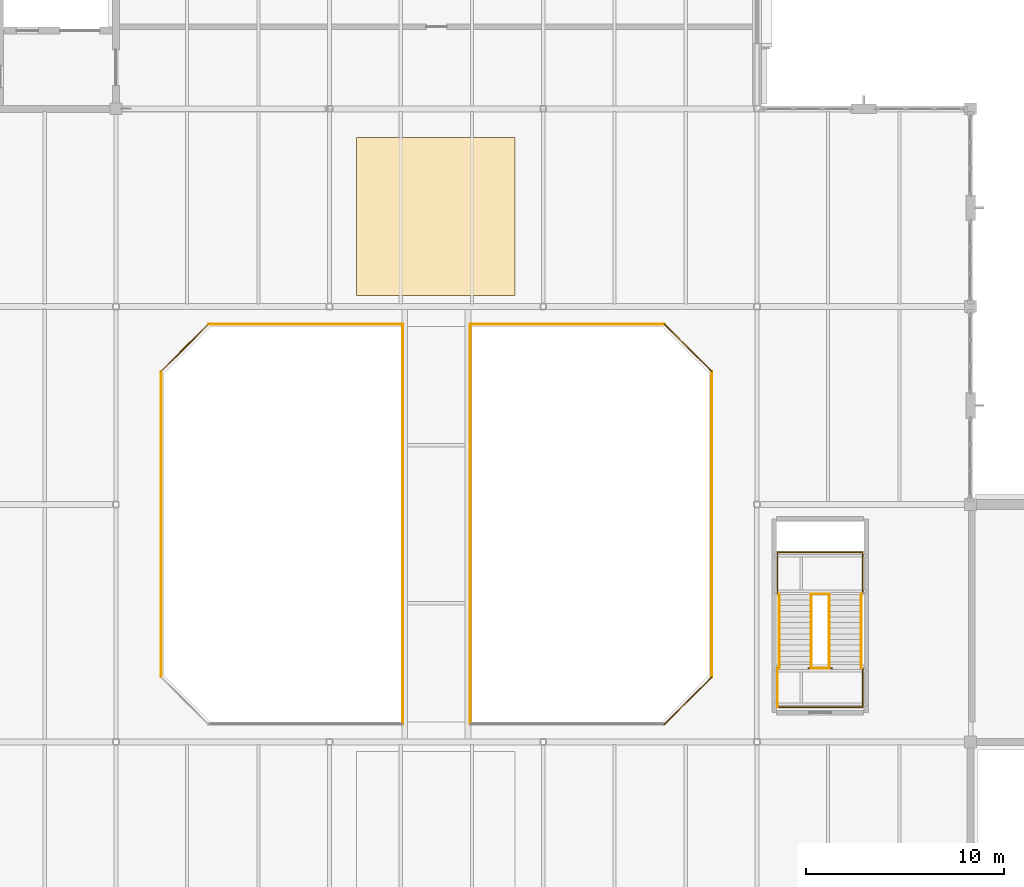
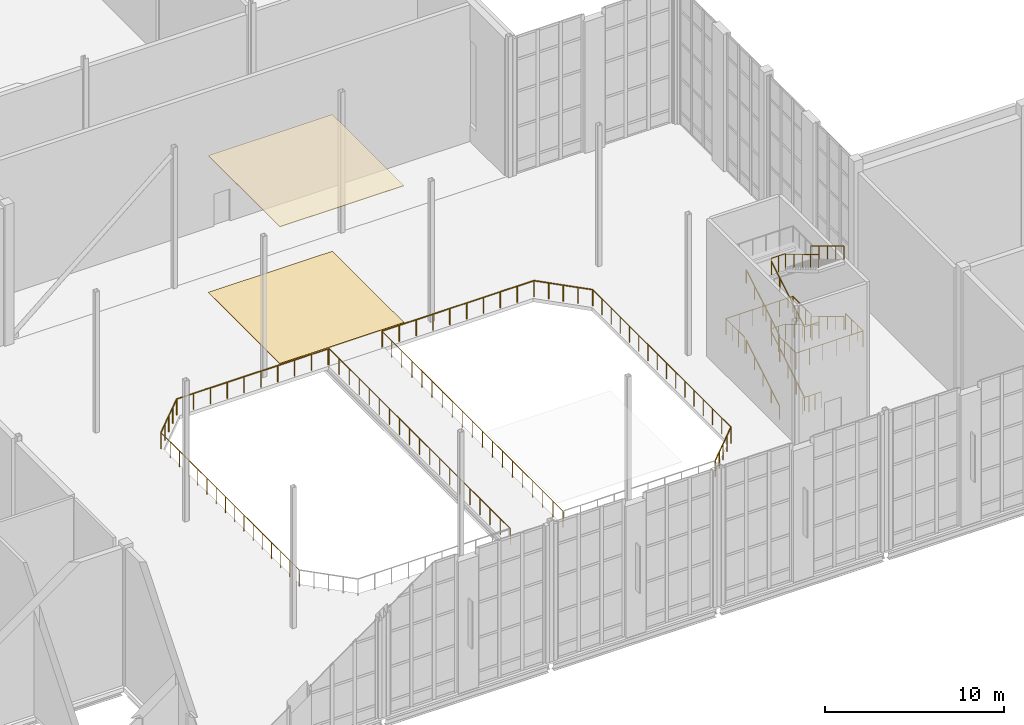
# One storey, part 94 of 100: 24 railings, 2 coverings.
"""IFC4 building model written with IfcOpenShell, lengths in metres."""

from ifc_helpers import new_model, si_unit, direction, frame, origin, origin_2d, place, context, subcontext, project, spatial, rectangle, circle, extrude, material, layer, layer_set, type_object, element, save


model = new_model("IFC4")

# Units and contexts
model_context = context("Model", 3, precision=1e-05, world=origin(), true_north=direction((0.0, 1.0)))
body_context = subcontext(model_context, "Body", "Model", "MODEL_VIEW")
ifc_project = project(units=[si_unit("LENGTHUNIT", "METRE"), si_unit("AREAUNIT", "SQUARE_METRE"), si_unit("VOLUMEUNIT", "CUBIC_METRE"), si_unit("PLANEANGLEUNIT", "RADIAN"), si_unit("MASSUNIT", "GRAM", prefix="KILO")], contexts=[model_context])

# Site, building, storey
site_placement = place(None, origin())
site = spatial("IfcSite", under=ifc_project, at=site_placement, CompositionType="ELEMENT")
building_placement = place(site_placement, origin())
building = spatial("IfcBuilding", under=site, at=building_placement, Name="Tasgan Crest Museum", CompositionType="ELEMENT")
storey_placement = place(building_placement, frame((0.0, 0.0, 14.39990234375)))
storey = spatial("IfcBuildingStorey", under=building, at=storey_placement, Name="L03", CompositionType="ELEMENT", Elevation=14.39990234375)

# Coverings
ifc_material_1 = material(Name="Perforated Gypsum Acoustic Ceiling")
ifc_layer_1 = layer(ifc_material_1, 0.034912109375, Name="COV-CEIL-ACOUST")
ifc_layer_set_1 = layer_set([ifc_layer_1], Name="Perforated Gypsum Acoustic Ceiling")
covering_type_1 = type_object("IfcCoveringType", Name="COV-CEIL-ACOUST", PredefinedType="CEILING", material=ifc_layer_set_1)
covering_1_placement = place(storey_placement, frame((80.9599609375, 76.550048828125, 9.3251953125), z_axis=(0.0, 0.0, 1.0), x_axis=(1.0, 0.0, 0.0)))
element("IfcCovering", 1, at=covering_1_placement, inside=storey, type_object=covering_type_1, Name="Double-Height North Atrium Promenade acoustic ceiling", PredefinedType="CEILING", context=body_context, shape_type="SweptSolid", body=[
    extrude(rectangle(XDim=8.0, YDim=8.0, at=origin_2d()), origin(), (0.0, 0.0, 1.0), 0.034912109375),
])
ifc_material_2 = material(Name="Polished Granite Terrazzo", Category="masonry")
ifc_layer_2 = layer(ifc_material_2, 0.030029296875, Name="COV-FLOOR-TERRAZZO")
ifc_layer_set_2 = layer_set([ifc_layer_2], Name="Polished Granite Terrazzo")
covering_type_2 = type_object("IfcCoveringType", Name="COV-FLOOR-TERRAZZO", PredefinedType="FLOORING", material=ifc_layer_set_2)
covering_2_placement = place(storey_placement, frame((80.9599609375, 76.550048828125, 0.0), z_axis=(0.0, 0.0, 1.0), x_axis=(1.0, 0.0, 0.0)))
element("IfcCovering", 2, at=covering_2_placement, inside=storey, type_object=covering_type_2, Name="Double-Height North Atrium Promenade floor finish", PredefinedType="FLOORING", context=body_context, shape_type="SweptSolid", body=[
    extrude(rectangle(XDim=8.0, YDim=8.0, at=origin_2d()), origin(), (0.0, 0.0, 1.0), 0.030029296875),
])

# Railings
ifc_material_3 = material(Name="Brushed Bronze and Toughened Glass", Category="glass")
railing_type_1 = type_object("IfcRailingType", Name="RL-INT-GUARD-1120", PredefinedType="GUARDRAIL", material=ifc_material_3)
railing_1_placement = place(storey_placement, frame((99.800048828125, 53.719970703125, 0.0)))
element("IfcRailing", 3, at=railing_1_placement, inside=storey, type_object=railing_type_1, Name="ATRIUM floor slot guard L03", PredefinedType="GUARDRAIL", context=body_context, shape_type="SweptSolid", body=[
    extrude(circle(Radius=0.02392578125, at=origin_2d()), frame((0.0, 0.0, 1.09619140625), z_axis=(1.0, 0.0, 0.0), x_axis=(0.0, 1.0, 0.0)), (0.0, 0.0, 1.0), 1.199951171875),
    extrude(circle(Radius=0.02099609375, at=origin_2d()), origin(), (0.0, 0.0, 1.0), 1.072021484375),
    extrude(circle(Radius=0.02099609375, at=origin_2d()), frame((0.39990234375, 0.0, 0.0)), (0.0, 0.0, 1.0), 1.072021484375),
    extrude(circle(Radius=0.02099609375, at=origin_2d()), frame((0.800048828125, 0.0, 0.0)), (0.0, 0.0, 1.0), 1.072021484375),
    extrude(circle(Radius=0.02099609375, at=origin_2d()), frame((1.199951171875, 0.0, 0.0)), (0.0, 0.0, 1.0), 1.072021484375),
])
railing_2_placement = place(storey_placement, frame((99.93994140625, 53.72998046875, 4.800048828125)))
element("IfcRailing", 4, at=railing_2_placement, inside=storey, type_object=railing_type_1, Name="Stair intermediate slot guard ST-AT-L03", PredefinedType="GUARDRAIL", context=body_context, shape_type="SweptSolid", body=[
    extrude(circle(Radius=0.02392578125, at=origin_2d()), frame((0.0, 0.0, 1.09619140625), z_axis=(1.0, 0.0, 0.0), x_axis=(0.0, 1.0, 0.0)), (0.0, 0.0, 1.0), 0.920166015625),
    extrude(circle(Radius=0.02099609375, at=origin_2d()), origin(), (0.0, 0.0, 1.0), 1.072021484375),
    extrude(circle(Radius=0.02099609375, at=origin_2d()), frame((0.4599609375, 0.0, 0.0)), (0.0, 0.0, 1.0), 1.072021484375),
    extrude(circle(Radius=0.02099609375, at=origin_2d()), frame((0.920166015625, 0.0, 0.0)), (0.0, 0.0, 1.0), 1.072021484375),
])
railing_3_placement = place(storey_placement, frame((98.239990234375, 51.760009765625, 4.800048828125)))
element("IfcRailing", 5, at=railing_3_placement, inside=storey, type_object=railing_type_1, Name="Stair intermediate rear guard ST-AT-L03", PredefinedType="GUARDRAIL", context=body_context, shape_type="SweptSolid", body=[
    extrude(circle(Radius=0.02392578125, at=origin_2d()), frame((0.0, 0.0, 1.09619140625), z_axis=(1.0, 0.0, 0.0), x_axis=(0.0, 1.0, 0.0)), (0.0, 0.0, 1.0), 4.320068359375),
    extrude(circle(Radius=0.02392578125, at=origin_2d()), frame((4.320068359375, 0.0, 1.09619140625), z_axis=(0.0, 1.0, 0.0), x_axis=(-1.0, 0.0, 0.0)), (0.0, 0.0, 1.0), 1.949951171875),
    extrude(circle(Radius=0.02099609375, at=origin_2d()), origin(), (0.0, 0.0, 1.0), 1.072021484375),
    extrude(circle(Radius=0.02099609375, at=origin_2d()), frame((0.864013671875, 0.0, 0.0)), (0.0, 0.0, 1.0), 1.072021484375),
    extrude(circle(Radius=0.02099609375, at=origin_2d()), frame((1.72802734375, 0.0, 0.0)), (0.0, 0.0, 1.0), 1.072021484375),
    extrude(circle(Radius=0.02099609375, at=origin_2d()), frame((2.592041015625, 0.0, 0.0)), (0.0, 0.0, 1.0), 1.072021484375),
    extrude(circle(Radius=0.02099609375, at=origin_2d()), frame((3.4560546875, 0.0, 0.0)), (0.0, 0.0, 1.0), 1.072021484375),
    extrude(circle(Radius=0.02099609375, at=origin_2d()), frame((4.320068359375, 0.0, 0.0)), (0.0, 0.0, 1.0), 1.072021484375),
    extrude(circle(Radius=0.02099609375, at=origin_2d()), frame((4.320068359375, 0.64990234375, 0.0)), (0.0, 0.0, 1.0), 1.072021484375),
    extrude(circle(Radius=0.02099609375, at=origin_2d()), frame((4.320068359375, 1.300048828125, 0.0)), (0.0, 0.0, 1.0), 1.072021484375),
    extrude(circle(Radius=0.02099609375, at=origin_2d()), frame((4.320068359375, 1.949951171875, 0.0)), (0.0, 0.0, 1.0), 1.072021484375),
])
railing_4_placement = place(storey_placement, frame((98.239990234375, 51.760009765625, 4.800048828125)))
element("IfcRailing", 6, at=railing_4_placement, inside=storey, type_object=railing_type_1, Name="Stair intermediate side guard ST-AT-L03", PredefinedType="GUARDRAIL", context=body_context, shape_type="SweptSolid", body=[
    extrude(circle(Radius=0.02392578125, at=origin_2d()), frame((0.0, 0.0, 1.09619140625), z_axis=(0.0, 1.0, 0.0), x_axis=(-1.0, 0.0, 0.0)), (0.0, 0.0, 1.0), 1.949951171875),
    extrude(circle(Radius=0.02099609375, at=origin_2d()), origin(), (0.0, 0.0, 1.0), 1.072021484375),
    extrude(circle(Radius=0.02099609375, at=origin_2d()), frame((0.0, 0.64990234375, 0.0)), (0.0, 0.0, 1.0), 1.072021484375),
    extrude(circle(Radius=0.02099609375, at=origin_2d()), frame((0.0, 1.300048828125, 0.0)), (0.0, 0.0, 1.0), 1.072021484375),
    extrude(circle(Radius=0.02099609375, at=origin_2d()), frame((0.0, 1.949951171875, 0.0)), (0.0, 0.0, 1.0), 1.072021484375),
])
railing_5_placement = place(storey_placement, frame((99.93994140625, 57.47509765625, 2.400146484375)))
element("IfcRailing", 7, at=railing_5_placement, inside=storey, type_object=railing_type_1, Name="Stair half-landing well guard ST-AT-L03 T1", PredefinedType="GUARDRAIL", context=body_context, shape_type="SweptSolid", body=[
    extrude(circle(Radius=0.02392578125, at=origin_2d()), frame((0.0, 0.0, 1.09619140625), z_axis=(1.0, 0.0, 0.0), x_axis=(0.0, 1.0, 0.0)), (0.0, 0.0, 1.0), 0.920166015625),
    extrude(circle(Radius=0.02099609375, at=origin_2d()), origin(), (0.0, 0.0, 1.0), 1.072021484375),
    extrude(circle(Radius=0.02099609375, at=origin_2d()), frame((0.4599609375, 0.0, 0.0)), (0.0, 0.0, 1.0), 1.072021484375),
    extrude(circle(Radius=0.02099609375, at=origin_2d()), frame((0.920166015625, 0.0, 0.0)), (0.0, 0.0, 1.0), 1.072021484375),
])
railing_6_placement = place(storey_placement, frame((98.239990234375, 57.4951171875, 2.400146484375)))
element("IfcRailing", 8, at=railing_6_placement, inside=storey, type_object=railing_type_1, Name="Stair half-landing perimeter guard ST-AT-L03 T1", PredefinedType="GUARDRAIL", context=body_context, shape_type="SweptSolid", body=[
    extrude(circle(Radius=0.02392578125, at=origin_2d()), frame((0.0, 0.0, 1.09619140625), z_axis=(0.0, 1.0, 0.0), x_axis=(-1.0, 0.0, 0.0)), (0.0, 0.0, 1.0), 2.099853515625),
    extrude(circle(Radius=0.02392578125, at=origin_2d()), frame((0.0, 2.099853515625, 1.09619140625), z_axis=(1.0, 0.0, 0.0), x_axis=(0.0, 1.0, 0.0)), (0.0, 0.0, 1.0), 4.320068359375),
    extrude(circle(Radius=0.02392578125, at=origin_2d()), frame((4.320068359375, 2.099853515625, 1.09619140625), z_axis=(0.0, -1.0, 0.0), x_axis=(1.0, 0.0, 0.0)), (0.0, 0.0, 1.0), 2.099853515625),
    extrude(circle(Radius=0.02099609375, at=origin_2d()), origin(), (0.0, 0.0, 1.0), 1.072021484375),
    extrude(circle(Radius=0.02099609375, at=origin_2d()), frame((0.0, 0.699951171875, 0.0)), (0.0, 0.0, 1.0), 1.072021484375),
    extrude(circle(Radius=0.02099609375, at=origin_2d()), frame((0.0, 1.39990234375, 0.0)), (0.0, 0.0, 1.0), 1.072021484375),
    extrude(circle(Radius=0.02099609375, at=origin_2d()), frame((0.0, 2.099853515625, 0.0)), (0.0, 0.0, 1.0), 1.072021484375),
    extrude(circle(Radius=0.02099609375, at=origin_2d()), frame((0.864013671875, 2.099853515625, 0.0)), (0.0, 0.0, 1.0), 1.072021484375),
    extrude(circle(Radius=0.02099609375, at=origin_2d()), frame((1.72802734375, 2.099853515625, 0.0)), (0.0, 0.0, 1.0), 1.072021484375),
    extrude(circle(Radius=0.02099609375, at=origin_2d()), frame((2.592041015625, 2.099853515625, 0.0)), (0.0, 0.0, 1.0), 1.072021484375),
    extrude(circle(Radius=0.02099609375, at=origin_2d()), frame((3.4560546875, 2.099853515625, 0.0)), (0.0, 0.0, 1.0), 1.072021484375),
    extrude(circle(Radius=0.02099609375, at=origin_2d()), frame((4.320068359375, 2.099853515625, 0.0)), (0.0, 0.0, 1.0), 1.072021484375),
    extrude(circle(Radius=0.02099609375, at=origin_2d()), frame((4.320068359375, 1.39990234375, 0.0)), (0.0, 0.0, 1.0), 1.072021484375),
    extrude(circle(Radius=0.02099609375, at=origin_2d()), frame((4.320068359375, 0.699951171875, 0.0)), (0.0, 0.0, 1.0), 1.072021484375),
    extrude(circle(Radius=0.02099609375, at=origin_2d()), frame((4.320068359375, 0.0, 0.0)), (0.0, 0.0, 1.0), 1.072021484375),
])
railing_7_placement = place(storey_placement, frame((99.93994140625, 57.47509765625, 7.2001953125)))
element("IfcRailing", 9, at=railing_7_placement, inside=storey, type_object=railing_type_1, Name="Stair half-landing well guard ST-AT-L03 T2", PredefinedType="GUARDRAIL", context=body_context, shape_type="SweptSolid", body=[
    extrude(circle(Radius=0.02392578125, at=origin_2d()), frame((0.0, 0.0, 1.09619140625), z_axis=(1.0, 0.0, 0.0), x_axis=(0.0, 1.0, 0.0)), (0.0, 0.0, 1.0), 0.920166015625),
    extrude(circle(Radius=0.02099609375, at=origin_2d()), origin(), (0.0, 0.0, 1.0), 1.072021484375),
    extrude(circle(Radius=0.02099609375, at=origin_2d()), frame((0.4599609375, 0.0, 0.0)), (0.0, 0.0, 1.0), 1.072021484375),
    extrude(circle(Radius=0.02099609375, at=origin_2d()), frame((0.920166015625, 0.0, 0.0)), (0.0, 0.0, 1.0), 1.072021484375),
])
railing_8_placement = place(storey_placement, frame((92.52001953125, 50.8798828125, 0.0)))
element("IfcRailing", 10, at=railing_8_placement, inside=storey, type_object=railing_type_1, Name="Atrium void guard L03 1", PredefinedType="GUARDRAIL", context=body_context, shape_type="SweptSolid", body=[
    extrude(circle(Radius=0.02392578125, at=origin_2d()), frame((0.0, 0.0, 1.09619140625), z_axis=(0.707070815327, 0.707142745217, 0.0), x_axis=(-0.707142745217, 0.707070815327, 0.0)), (0.0, 0.0, 1.0), 3.39404296875),
    extrude(circle(Radius=0.02099609375, at=origin_2d()), origin(), (0.0, 0.0, 1.0), 1.072021484375),
    extrude(circle(Radius=0.02099609375, at=origin_2d()), frame((0.60009765625, 0.60009765625, 0.0)), (0.0, 0.0, 1.0), 1.072021484375),
    extrude(circle(Radius=0.02099609375, at=origin_2d()), frame((1.199951171875, 1.2001953125, 0.0)), (0.0, 0.0, 1.0), 1.072021484375),
    extrude(circle(Radius=0.02099609375, at=origin_2d()), frame((1.7998046875, 1.800048828125, 0.0)), (0.0, 0.0, 1.0), 1.072021484375),
    extrude(circle(Radius=0.02099609375, at=origin_2d()), frame((2.39990234375, 2.400146484375, 0.0)), (0.0, 0.0, 1.0), 1.072021484375),
])
railing_9_placement = place(storey_placement, frame((94.919921875, 53.280029296875, 0.0)))
element("IfcRailing", 11, at=railing_9_placement, inside=storey, type_object=railing_type_1, Name="Atrium void guard L03 2", PredefinedType="GUARDRAIL", context=body_context, shape_type="SweptSolid", body=[
    extrude(circle(Radius=0.02392578125, at=origin_2d()), frame((0.0, 0.0, 1.09619140625), z_axis=(0.0, 1.0, 0.0), x_axis=(-1.0, 0.0, 0.0)), (0.0, 0.0, 1.0), 15.43994140625),
    extrude(circle(Radius=0.02099609375, at=origin_2d()), origin(), (0.0, 0.0, 1.0), 1.072021484375),
    extrude(circle(Radius=0.02099609375, at=origin_2d()), frame((0.0, 1.029296875, 0.0)), (0.0, 0.0, 1.0), 1.072021484375),
    extrude(circle(Radius=0.02099609375, at=origin_2d()), frame((0.0, 2.05859375, 0.0)), (0.0, 0.0, 1.0), 1.072021484375),
    extrude(circle(Radius=0.02099609375, at=origin_2d()), frame((0.0, 3.087890625, 0.0)), (0.0, 0.0, 1.0), 1.072021484375),
    extrude(circle(Radius=0.02099609375, at=origin_2d()), frame((0.0, 4.117431640625, 0.0)), (0.0, 0.0, 1.0), 1.072021484375),
    extrude(circle(Radius=0.02099609375, at=origin_2d()), frame((0.0, 5.146728515625, 0.0)), (0.0, 0.0, 1.0), 1.072021484375),
    extrude(circle(Radius=0.02099609375, at=origin_2d()), frame((0.0, 6.176025390625, 0.0)), (0.0, 0.0, 1.0), 1.072021484375),
    extrude(circle(Radius=0.02099609375, at=origin_2d()), frame((0.0, 7.205322265625, 0.0)), (0.0, 0.0, 1.0), 1.072021484375),
    extrude(circle(Radius=0.02099609375, at=origin_2d()), frame((0.0, 8.234619140625, 0.0)), (0.0, 0.0, 1.0), 1.072021484375),
    extrude(circle(Radius=0.02099609375, at=origin_2d()), frame((0.0, 9.263916015625, 0.0)), (0.0, 0.0, 1.0), 1.072021484375),
    extrude(circle(Radius=0.02099609375, at=origin_2d()), frame((0.0, 10.293212890625, 0.0)), (0.0, 0.0, 1.0), 1.072021484375),
    extrude(circle(Radius=0.02099609375, at=origin_2d()), frame((0.0, 11.322509765625, 0.0)), (0.0, 0.0, 1.0), 1.072021484375),
    extrude(circle(Radius=0.02099609375, at=origin_2d()), frame((0.0, 12.35205078125, 0.0)), (0.0, 0.0, 1.0), 1.072021484375),
    extrude(circle(Radius=0.02099609375, at=origin_2d()), frame((0.0, 13.38134765625, 0.0)), (0.0, 0.0, 1.0), 1.072021484375),
    extrude(circle(Radius=0.02099609375, at=origin_2d()), frame((0.0, 14.41064453125, 0.0)), (0.0, 0.0, 1.0), 1.072021484375),
    extrude(circle(Radius=0.02099609375, at=origin_2d()), frame((0.0, 15.43994140625, 0.0)), (0.0, 0.0, 1.0), 1.072021484375),
])
railing_10_placement = place(storey_placement, frame((94.919921875, 68.719970703125, 0.0)))
element("IfcRailing", 12, at=railing_10_placement, inside=storey, type_object=railing_type_1, Name="Atrium void guard L03 3", PredefinedType="GUARDRAIL", context=body_context, shape_type="SweptSolid", body=[
    extrude(circle(Radius=0.02392578125, at=origin_2d()), frame((0.0, 0.0, 1.09619140625), z_axis=(-0.707070815327, 0.707142745217, 0.0), x_axis=(-0.707142745217, -0.707070815327, 0.0)), (0.0, 0.0, 1.0), 3.39404296875),
    extrude(circle(Radius=0.02099609375, at=origin_2d()), origin(), (0.0, 0.0, 1.0), 1.072021484375),
    extrude(circle(Radius=0.02099609375, at=origin_2d()), frame((-0.60009765625, 0.60009765625, 0.0)), (0.0, 0.0, 1.0), 1.072021484375),
    extrude(circle(Radius=0.02099609375, at=origin_2d()), frame((-1.199951171875, 1.2001953125, 0.0)), (0.0, 0.0, 1.0), 1.072021484375),
    extrude(circle(Radius=0.02099609375, at=origin_2d()), frame((-1.7998046875, 1.800048828125, 0.0)), (0.0, 0.0, 1.0), 1.072021484375),
    extrude(circle(Radius=0.02099609375, at=origin_2d()), frame((-2.39990234375, 2.400146484375, 0.0)), (0.0, 0.0, 1.0), 1.072021484375),
])
for number, where, name in (
    (13, (69.47998046875, 71.1201171875, 0.0), "Atrium void guard L03 4A"),
    (14, (82.75, 71.1201171875, 0.0), "Atrium void guard L03 4B"),
):
    element("IfcRailing", number, at=place(storey_placement, frame(where)), inside=storey, type_object=railing_type_1, Name=name, PredefinedType="GUARDRAIL", context=body_context, shape_type="SweptSolid", body=[
        extrude(circle(Radius=0.02392578125, at=origin_2d()), frame((0.0, 0.0, 1.09619140625), z_axis=(1.0, 0.0, 0.0), x_axis=(0.0, 1.0, 0.0)), (0.0, 0.0, 1.0), 9.77001953125),
        extrude(circle(Radius=0.02099609375, at=origin_2d()), origin(), (0.0, 0.0, 1.0), 1.072021484375),
        extrude(circle(Radius=0.02099609375, at=origin_2d()), frame((1.08544921875, 0.0, 0.0)), (0.0, 0.0, 1.0), 1.072021484375),
        extrude(circle(Radius=0.02099609375, at=origin_2d()), frame((2.171142578125, 0.0, 0.0)), (0.0, 0.0, 1.0), 1.072021484375),
        extrude(circle(Radius=0.02099609375, at=origin_2d()), frame((3.256591796875, 0.0, 0.0)), (0.0, 0.0, 1.0), 1.072021484375),
        extrude(circle(Radius=0.02099609375, at=origin_2d()), frame((4.34228515625, 0.0, 0.0)), (0.0, 0.0, 1.0), 1.072021484375),
        extrude(circle(Radius=0.02099609375, at=origin_2d()), frame((5.427734375, 0.0, 0.0)), (0.0, 0.0, 1.0), 1.072021484375),
        extrude(circle(Radius=0.02099609375, at=origin_2d()), frame((6.513427734375, 0.0, 0.0)), (0.0, 0.0, 1.0), 1.072021484375),
        extrude(circle(Radius=0.02099609375, at=origin_2d()), frame((7.598876953125, 0.0, 0.0)), (0.0, 0.0, 1.0), 1.072021484375),
        extrude(circle(Radius=0.02099609375, at=origin_2d()), frame((8.6845703125, 0.0, 0.0)), (0.0, 0.0, 1.0), 1.072021484375),
        extrude(circle(Radius=0.02099609375, at=origin_2d()), frame((9.77001953125, 0.0, 0.0)), (0.0, 0.0, 1.0), 1.072021484375),
    ])
railing_11_placement = place(storey_placement, frame((69.47998046875, 71.1201171875, 0.0)))
element("IfcRailing", 15, at=railing_11_placement, inside=storey, type_object=railing_type_1, Name="Atrium void guard L03 5", PredefinedType="GUARDRAIL", context=body_context, shape_type="SweptSolid", body=[
    extrude(circle(Radius=0.02392578125, at=origin_2d()), frame((0.0, 0.0, 1.09619140625), z_axis=(-0.707070815327, -0.707142745217, 0.0), x_axis=(0.707142745217, -0.707070815327, 0.0)), (0.0, 0.0, 1.0), 3.39404296875),
    extrude(circle(Radius=0.02099609375, at=origin_2d()), origin(), (0.0, 0.0, 1.0), 1.072021484375),
    extrude(circle(Radius=0.02099609375, at=origin_2d()), frame((-0.60009765625, -0.60009765625, 0.0)), (0.0, 0.0, 1.0), 1.072021484375),
    extrude(circle(Radius=0.02099609375, at=origin_2d()), frame((-1.199951171875, -1.2001953125, 0.0)), (0.0, 0.0, 1.0), 1.072021484375),
    extrude(circle(Radius=0.02099609375, at=origin_2d()), frame((-1.7998046875, -1.800048828125, 0.0)), (0.0, 0.0, 1.0), 1.072021484375),
    extrude(circle(Radius=0.02099609375, at=origin_2d()), frame((-2.39990234375, -2.400146484375, 0.0)), (0.0, 0.0, 1.0), 1.072021484375),
])
railing_12_placement = place(storey_placement, frame((67.080078125, 68.719970703125, 0.0)))
element("IfcRailing", 16, at=railing_12_placement, inside=storey, type_object=railing_type_1, Name="Atrium void guard L03 6", PredefinedType="GUARDRAIL", context=body_context, shape_type="SweptSolid", body=[
    extrude(circle(Radius=0.02392578125, at=origin_2d()), frame((0.0, 0.0, 1.09619140625), z_axis=(0.0, -1.0, 0.0), x_axis=(1.0, 0.0, 0.0)), (0.0, 0.0, 1.0), 15.43994140625),
    extrude(circle(Radius=0.02099609375, at=origin_2d()), origin(), (0.0, 0.0, 1.0), 1.072021484375),
    extrude(circle(Radius=0.02099609375, at=origin_2d()), frame((0.0, -1.029296875, 0.0)), (0.0, 0.0, 1.0), 1.072021484375),
    extrude(circle(Radius=0.02099609375, at=origin_2d()), frame((0.0, -2.05859375, 0.0)), (0.0, 0.0, 1.0), 1.072021484375),
    extrude(circle(Radius=0.02099609375, at=origin_2d()), frame((0.0, -3.087890625, 0.0)), (0.0, 0.0, 1.0), 1.072021484375),
    extrude(circle(Radius=0.02099609375, at=origin_2d()), frame((0.0, -4.117431640625, 0.0)), (0.0, 0.0, 1.0), 1.072021484375),
    extrude(circle(Radius=0.02099609375, at=origin_2d()), frame((0.0, -5.146728515625, 0.0)), (0.0, 0.0, 1.0), 1.072021484375),
    extrude(circle(Radius=0.02099609375, at=origin_2d()), frame((0.0, -6.176025390625, 0.0)), (0.0, 0.0, 1.0), 1.072021484375),
    extrude(circle(Radius=0.02099609375, at=origin_2d()), frame((0.0, -7.205322265625, 0.0)), (0.0, 0.0, 1.0), 1.072021484375),
    extrude(circle(Radius=0.02099609375, at=origin_2d()), frame((0.0, -8.234619140625, 0.0)), (0.0, 0.0, 1.0), 1.072021484375),
    extrude(circle(Radius=0.02099609375, at=origin_2d()), frame((0.0, -9.263916015625, 0.0)), (0.0, 0.0, 1.0), 1.072021484375),
    extrude(circle(Radius=0.02099609375, at=origin_2d()), frame((0.0, -10.293212890625, 0.0)), (0.0, 0.0, 1.0), 1.072021484375),
    extrude(circle(Radius=0.02099609375, at=origin_2d()), frame((0.0, -11.322509765625, 0.0)), (0.0, 0.0, 1.0), 1.072021484375),
    extrude(circle(Radius=0.02099609375, at=origin_2d()), frame((0.0, -12.35205078125, 0.0)), (0.0, 0.0, 1.0), 1.072021484375),
    extrude(circle(Radius=0.02099609375, at=origin_2d()), frame((0.0, -13.38134765625, 0.0)), (0.0, 0.0, 1.0), 1.072021484375),
    extrude(circle(Radius=0.02099609375, at=origin_2d()), frame((0.0, -14.41064453125, 0.0)), (0.0, 0.0, 1.0), 1.072021484375),
    extrude(circle(Radius=0.02099609375, at=origin_2d()), frame((0.0, -15.43994140625, 0.0)), (0.0, 0.0, 1.0), 1.072021484375),
])
railing_13_placement = place(storey_placement, frame((79.300048828125, 50.8798828125, 0.0)))
element("IfcRailing", 17, at=railing_13_placement, inside=storey, type_object=railing_type_1, Name="Atrium bridge guardrail L03 W", PredefinedType="GUARDRAIL", context=body_context, shape_type="SweptSolid", body=[
    extrude(circle(Radius=0.02392578125, at=origin_2d()), frame((0.0, 0.0, 1.09619140625), z_axis=(0.0, 1.0, 0.0), x_axis=(-1.0, 0.0, 0.0)), (0.0, 0.0, 1.0), 20.240234375),
    extrude(circle(Radius=0.02099609375, at=origin_2d()), origin(), (0.0, 0.0, 1.0), 1.072021484375),
    extrude(circle(Radius=0.02099609375, at=origin_2d()), frame((0.0, 1.12451171875, 0.0)), (0.0, 0.0, 1.0), 1.072021484375),
    extrude(circle(Radius=0.02099609375, at=origin_2d()), frame((0.0, 2.2490234375, 0.0)), (0.0, 0.0, 1.0), 1.072021484375),
    extrude(circle(Radius=0.02099609375, at=origin_2d()), frame((0.0, 3.373291015625, 0.0)), (0.0, 0.0, 1.0), 1.072021484375),
    extrude(circle(Radius=0.02099609375, at=origin_2d()), frame((0.0, 4.497802734375, 0.0)), (0.0, 0.0, 1.0), 1.072021484375),
    extrude(circle(Radius=0.02099609375, at=origin_2d()), frame((0.0, 5.622314453125, 0.0)), (0.0, 0.0, 1.0), 1.072021484375),
    extrude(circle(Radius=0.02099609375, at=origin_2d()), frame((0.0, 6.746826171875, 0.0)), (0.0, 0.0, 1.0), 1.072021484375),
    extrude(circle(Radius=0.02099609375, at=origin_2d()), frame((0.0, 7.87109375, 0.0)), (0.0, 0.0, 1.0), 1.072021484375),
    extrude(circle(Radius=0.02099609375, at=origin_2d()), frame((0.0, 8.99560546875, 0.0)), (0.0, 0.0, 1.0), 1.072021484375),
    extrude(circle(Radius=0.02099609375, at=origin_2d()), frame((0.0, 10.1201171875, 0.0)), (0.0, 0.0, 1.0), 1.072021484375),
    extrude(circle(Radius=0.02099609375, at=origin_2d()), frame((0.0, 11.24462890625, 0.0)), (0.0, 0.0, 1.0), 1.072021484375),
    extrude(circle(Radius=0.02099609375, at=origin_2d()), frame((0.0, 12.369140625, 0.0)), (0.0, 0.0, 1.0), 1.072021484375),
    extrude(circle(Radius=0.02099609375, at=origin_2d()), frame((0.0, 13.493408203125, 0.0)), (0.0, 0.0, 1.0), 1.072021484375),
    extrude(circle(Radius=0.02099609375, at=origin_2d()), frame((0.0, 14.617919921875, 0.0)), (0.0, 0.0, 1.0), 1.072021484375),
    extrude(circle(Radius=0.02099609375, at=origin_2d()), frame((0.0, 15.742431640625, 0.0)), (0.0, 0.0, 1.0), 1.072021484375),
    extrude(circle(Radius=0.02099609375, at=origin_2d()), frame((0.0, 16.866943359375, 0.0)), (0.0, 0.0, 1.0), 1.072021484375),
    extrude(circle(Radius=0.02099609375, at=origin_2d()), frame((0.0, 17.9912109375, 0.0)), (0.0, 0.0, 1.0), 1.072021484375),
    extrude(circle(Radius=0.02099609375, at=origin_2d()), frame((0.0, 19.11572265625, 0.0)), (0.0, 0.0, 1.0), 1.072021484375),
    extrude(circle(Radius=0.02099609375, at=origin_2d()), frame((0.0, 20.240234375, 0.0)), (0.0, 0.0, 1.0), 1.072021484375),
])
railing_14_placement = place(storey_placement, frame((82.699951171875, 50.8798828125, 0.0)))
element("IfcRailing", 18, at=railing_14_placement, inside=storey, type_object=railing_type_1, Name="Atrium bridge guardrail L03 E", PredefinedType="GUARDRAIL", context=body_context, shape_type="SweptSolid", body=[
    extrude(circle(Radius=0.02392578125, at=origin_2d()), frame((0.0, 0.0, 1.09619140625), z_axis=(0.0, 1.0, 0.0), x_axis=(-1.0, 0.0, 0.0)), (0.0, 0.0, 1.0), 20.240234375),
    extrude(circle(Radius=0.02099609375, at=origin_2d()), origin(), (0.0, 0.0, 1.0), 1.072021484375),
    extrude(circle(Radius=0.02099609375, at=origin_2d()), frame((0.0, 1.12451171875, 0.0)), (0.0, 0.0, 1.0), 1.072021484375),
    extrude(circle(Radius=0.02099609375, at=origin_2d()), frame((0.0, 2.2490234375, 0.0)), (0.0, 0.0, 1.0), 1.072021484375),
    extrude(circle(Radius=0.02099609375, at=origin_2d()), frame((0.0, 3.373291015625, 0.0)), (0.0, 0.0, 1.0), 1.072021484375),
    extrude(circle(Radius=0.02099609375, at=origin_2d()), frame((0.0, 4.497802734375, 0.0)), (0.0, 0.0, 1.0), 1.072021484375),
    extrude(circle(Radius=0.02099609375, at=origin_2d()), frame((0.0, 5.622314453125, 0.0)), (0.0, 0.0, 1.0), 1.072021484375),
    extrude(circle(Radius=0.02099609375, at=origin_2d()), frame((0.0, 6.746826171875, 0.0)), (0.0, 0.0, 1.0), 1.072021484375),
    extrude(circle(Radius=0.02099609375, at=origin_2d()), frame((0.0, 7.87109375, 0.0)), (0.0, 0.0, 1.0), 1.072021484375),
    extrude(circle(Radius=0.02099609375, at=origin_2d()), frame((0.0, 8.99560546875, 0.0)), (0.0, 0.0, 1.0), 1.072021484375),
    extrude(circle(Radius=0.02099609375, at=origin_2d()), frame((0.0, 10.1201171875, 0.0)), (0.0, 0.0, 1.0), 1.072021484375),
    extrude(circle(Radius=0.02099609375, at=origin_2d()), frame((0.0, 11.24462890625, 0.0)), (0.0, 0.0, 1.0), 1.072021484375),
    extrude(circle(Radius=0.02099609375, at=origin_2d()), frame((0.0, 12.369140625, 0.0)), (0.0, 0.0, 1.0), 1.072021484375),
    extrude(circle(Radius=0.02099609375, at=origin_2d()), frame((0.0, 13.493408203125, 0.0)), (0.0, 0.0, 1.0), 1.072021484375),
    extrude(circle(Radius=0.02099609375, at=origin_2d()), frame((0.0, 14.617919921875, 0.0)), (0.0, 0.0, 1.0), 1.072021484375),
    extrude(circle(Radius=0.02099609375, at=origin_2d()), frame((0.0, 15.742431640625, 0.0)), (0.0, 0.0, 1.0), 1.072021484375),
    extrude(circle(Radius=0.02099609375, at=origin_2d()), frame((0.0, 16.866943359375, 0.0)), (0.0, 0.0, 1.0), 1.072021484375),
    extrude(circle(Radius=0.02099609375, at=origin_2d()), frame((0.0, 17.9912109375, 0.0)), (0.0, 0.0, 1.0), 1.072021484375),
    extrude(circle(Radius=0.02099609375, at=origin_2d()), frame((0.0, 19.11572265625, 0.0)), (0.0, 0.0, 1.0), 1.072021484375),
    extrude(circle(Radius=0.02099609375, at=origin_2d()), frame((0.0, 20.240234375, 0.0)), (0.0, 0.0, 1.0), 1.072021484375),
])
ifc_material_4 = material(Name="Brushed Stainless Steel", Category="steel")
railing_type_2 = type_object("IfcRailingType", Name="RL-STAIR-HAND-920", PredefinedType="HANDRAIL", material=ifc_material_4)
for number, where, name in (
    (19, (98.320068359375, 53.75, 0.17138671875), "Stair handrail STAIR-ATRIUM-L03-F1 L"),
    (20, (99.93994140625, 53.75, 0.17138671875), "Stair handrail STAIR-ATRIUM-L03-F1 R"),
):
    element("IfcRailing", number, at=place(storey_placement, frame(where)), inside=storey, type_object=railing_type_2, Name=name, PredefinedType="HANDRAIL", context=body_context, shape_type="SweptSolid", body=[
        extrude(circle(Radius=0.02392578125, at=origin_2d()), frame((0.0, 0.0, 0.89599609375), z_axis=(0.0, 0.856909459561, 0.515466951525), x_axis=(-1.0, 0.0, 0.0)), (0.0, 0.0, 1.0), 4.32373046875),
        extrude(circle(Radius=0.02099609375, at=origin_2d()), origin(), (0.0, 0.0, 1.0), 0.871826171875),
        extrude(circle(Radius=0.02099609375, at=origin_2d()), frame((0.0, 0.92626953125, 0.55712890625)), (0.0, 0.0, 1.0), 0.871826171875),
        extrude(circle(Radius=0.02099609375, at=origin_2d()), frame((0.0, 1.8525390625, 1.1142578125)), (0.0, 0.0, 1.0), 0.871826171875),
        extrude(circle(Radius=0.02099609375, at=origin_2d()), frame((0.0, 2.77880859375, 1.671630859375)), (0.0, 0.0, 1.0), 0.871826171875),
        extrude(circle(Radius=0.02099609375, at=origin_2d()), frame((0.0, 3.705078125, 2.228759765625)), (0.0, 0.0, 1.0), 0.871826171875),
    ])
for number, where, name in (
    (21, (102.47998046875, 57.455078125, 2.571533203125), "Stair handrail STAIR-ATRIUM-L03-F2 L"),
    (22, (100.860107421875, 57.455078125, 2.571533203125), "Stair handrail STAIR-ATRIUM-L03-F2 R"),
):
    element("IfcRailing", number, at=place(storey_placement, frame(where)), inside=storey, type_object=railing_type_2, Name=name, PredefinedType="HANDRAIL", context=body_context, shape_type="SweptSolid", body=[
        extrude(circle(Radius=0.02392578125, at=origin_2d()), frame((0.0, 0.0, 0.89599609375), z_axis=(0.0, -0.856934400257, 0.515425487977), x_axis=(1.0, 0.0, 0.0)), (0.0, 0.0, 1.0), 4.32373046875),
        extrude(circle(Radius=0.02099609375, at=origin_2d()), origin(), (0.0, 0.0, 1.0), 0.871826171875),
        extrude(circle(Radius=0.02099609375, at=origin_2d()), frame((0.0, -0.92626953125, 0.55712890625)), (0.0, 0.0, 1.0), 0.871826171875),
        extrude(circle(Radius=0.02099609375, at=origin_2d()), frame((0.0, -1.8525390625, 1.1142578125)), (0.0, 0.0, 1.0), 0.871826171875),
        extrude(circle(Radius=0.02099609375, at=origin_2d()), frame((0.0, -2.77880859375, 1.67138671875)), (0.0, 0.0, 1.0), 0.871826171875),
        extrude(circle(Radius=0.02099609375, at=origin_2d()), frame((0.0, -3.705078125, 2.228515625)), (0.0, 0.0, 1.0), 0.871826171875),
    ])
for number, where, name in (
    (23, (98.320068359375, 53.75, 4.971435546875), "Stair handrail STAIR-ATRIUM-L03-F3 L"),
    (24, (99.93994140625, 53.75, 4.971435546875), "Stair handrail STAIR-ATRIUM-L03-F3 R"),
):
    element("IfcRailing", number, at=place(storey_placement, frame(where)), inside=storey, type_object=railing_type_2, Name=name, PredefinedType="HANDRAIL", context=body_context, shape_type="SweptSolid", body=[
        extrude(circle(Radius=0.02392578125, at=origin_2d()), frame((0.0, 0.0, 0.89599609375), z_axis=(0.0, 0.856909459561, 0.515466951525), x_axis=(-1.0, 0.0, 0.0)), (0.0, 0.0, 1.0), 4.32373046875),
        extrude(circle(Radius=0.02099609375, at=origin_2d()), origin(), (0.0, 0.0, 1.0), 0.871826171875),
        extrude(circle(Radius=0.02099609375, at=origin_2d()), frame((0.0, 0.92626953125, 0.55712890625)), (0.0, 0.0, 1.0), 0.871826171875),
        extrude(circle(Radius=0.02099609375, at=origin_2d()), frame((0.0, 1.8525390625, 1.1142578125)), (0.0, 0.0, 1.0), 0.871826171875),
        extrude(circle(Radius=0.02099609375, at=origin_2d()), frame((0.0, 2.77880859375, 1.671630859375)), (0.0, 0.0, 1.0), 0.871826171875),
        extrude(circle(Radius=0.02099609375, at=origin_2d()), frame((0.0, 3.705078125, 2.228759765625)), (0.0, 0.0, 1.0), 0.871826171875),
    ])
for number, where, name in (
    (25, (102.47998046875, 57.455078125, 7.37158203125), "Stair handrail STAIR-ATRIUM-L03-F4 L"),
    (26, (100.860107421875, 57.455078125, 7.37158203125), "Stair handrail STAIR-ATRIUM-L03-F4 R"),
):
    element("IfcRailing", number, at=place(storey_placement, frame(where)), inside=storey, type_object=railing_type_2, Name=name, PredefinedType="HANDRAIL", context=body_context, shape_type="SweptSolid", body=[
        extrude(circle(Radius=0.02392578125, at=origin_2d()), frame((0.0, 0.0, 0.89599609375), z_axis=(0.0, -0.856934400257, 0.515425487977), x_axis=(1.0, 0.0, 0.0)), (0.0, 0.0, 1.0), 4.32373046875),
        extrude(circle(Radius=0.02099609375, at=origin_2d()), origin(), (0.0, 0.0, 1.0), 0.871826171875),
        extrude(circle(Radius=0.02099609375, at=origin_2d()), frame((0.0, -0.92626953125, 0.55712890625)), (0.0, 0.0, 1.0), 0.871826171875),
        extrude(circle(Radius=0.02099609375, at=origin_2d()), frame((0.0, -1.8525390625, 1.1142578125)), (0.0, 0.0, 1.0), 0.871826171875),
        extrude(circle(Radius=0.02099609375, at=origin_2d()), frame((0.0, -2.77880859375, 1.67138671875)), (0.0, 0.0, 1.0), 0.871826171875),
        extrude(circle(Radius=0.02099609375, at=origin_2d()), frame((0.0, -3.705078125, 2.228515625)), (0.0, 0.0, 1.0), 0.871826171875),
    ])

save(model, "model.ifc")
